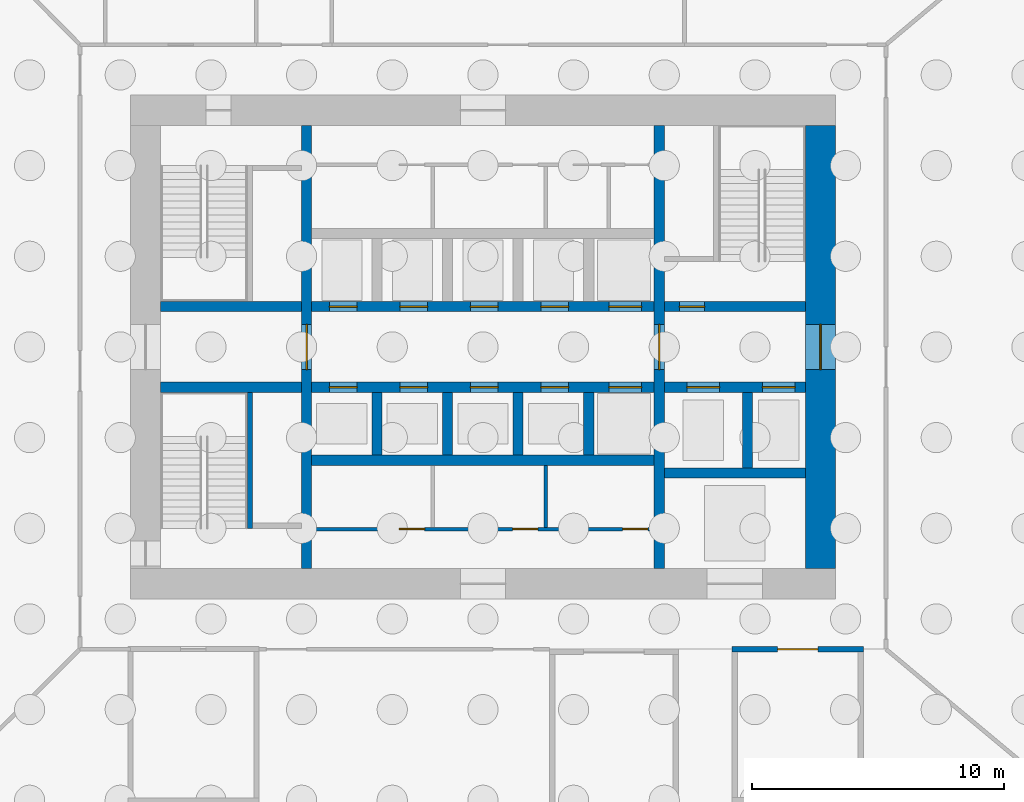
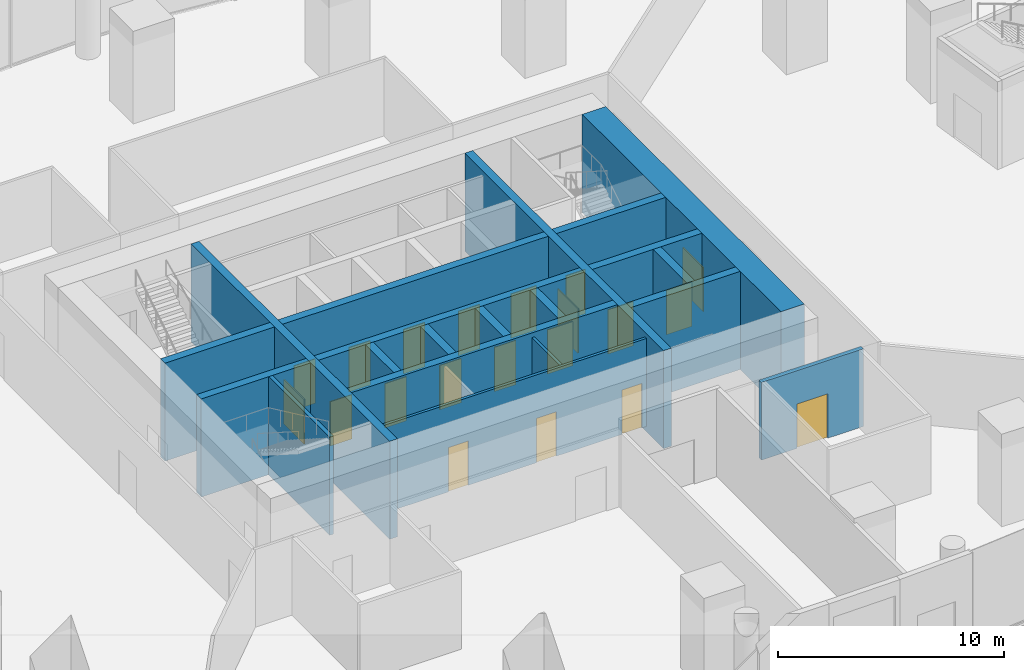
# One storey, part 13 of 29: 20 doors, 20 walls, 20 openings.
"""IFC4 building model written with IfcOpenShell, lengths in metres."""

from ifc_helpers import new_model, si_unit, direction, frame, frame_2d, origin, place, context, subcontext, project, spatial, rectangle, extrude, material, layer, layer_set, type_object, element, fill, save


model = new_model("IFC4")

# Units and contexts
model_context = context("Model", 3, precision=1e-05, world=origin(), true_north=direction((0.0, 1.0)))
body_context = subcontext(model_context, "Body", "Model", "MODEL_VIEW")
ifc_project = project(units=[si_unit("LENGTHUNIT", "METRE"), si_unit("AREAUNIT", "SQUARE_METRE"), si_unit("VOLUMEUNIT", "CUBIC_METRE"), si_unit("PLANEANGLEUNIT", "RADIAN"), si_unit("MASSUNIT", "GRAM", prefix="KILO")], contexts=[model_context])

# Site, building, storey
site_placement = place(None, origin())
site = spatial("IfcSite", under=ifc_project, at=site_placement, CompositionType="ELEMENT")
building_placement = place(site_placement, origin())
building = spatial("IfcBuilding", under=site, at=building_placement, Name="Ghaith Harvest Tower", CompositionType="ELEMENT")
storey_placement = place(building_placement, origin())
storey = spatial("IfcBuildingStorey", under=building, at=storey_placement, Name="L00", CompositionType="ELEMENT", Elevation=0.0)

# Wall, opening, door
ifc_material_1 = material(Name="Concrete blockwork, 1-hour", Category="masonry")
ifc_layer_1 = layer(ifc_material_1, 0.215087890625)
ifc_layer_set_1 = layer_set([ifc_layer_1], Name="BLOCKWORK WALL 215")
wall_type_1 = type_object("IfcWallType", Name="BLOCKWORK WALL 215", PredefinedType="PARTITIONING", material=ifc_layer_set_1)
wall_1_placement = place(storey_placement, frame((9.892578125, -12.0, 0.0), z_axis=(0.0, 0.0, 1.0), x_axis=(1.0, 0.0, 0.0)))
wall_1 = element("IfcWall", 1, at=wall_1_placement, inside=storey, type_object=wall_type_1, Name="Partition L00-04", PredefinedType="PARTITIONING", context=body_context, shape_type="SweptSolid", body=[
    extrude(rectangle(XDim=5.21484375, YDim=0.215087890625, at=frame_2d((2.607421875, 0.0))), origin(), (0.0, 0.0, 1.0), 4.199951171875),
])
opening_1_placement = place(wall_1_placement, frame((1.8076171875, 0.0, 0.0)))
opening_1 = element("IfcOpeningElement", 2, at=opening_1_placement, cuts=wall_1, Name="Opening 00-037", PredefinedType="OPENING", context=body_context, shape_type="SweptSolid", body=[
    extrude(rectangle(XDim=1.60009765625, YDim=2.39990234375, at=frame_2d((0.800048828125, 1.199951171875))), frame((0.0, 0.11767578125, 0.0), z_axis=(0.0, -1.0, 0.0), x_axis=(1.0, 0.0, 0.0)), (0.0, 0.0, 1.0), 0.235107421875),
])
ifc_material_2 = material(Name="Timber door", Category="wood")
door_type_1 = type_object("IfcDoorType", Name="D2 PAIR 1600x2400", OperationType="DOUBLE_DOOR_SINGLE_SWING", PredefinedType="DOOR", material=ifc_material_2)
door_1_placement = place(opening_1_placement, origin())
door_1 = element("IfcDoor", 3, at=door_1_placement, inside=storey, type_object=door_type_1, Name="Refuse room door", OperationType="DOUBLE_DOOR_SINGLE_SWING", OverallHeight=2.39990234375, OverallWidth=1.60009765625, PredefinedType="DOOR", context=body_context, shape_type="SweptSolid", body=[
    extrude(rectangle(XDim=1.60009765625, YDim=2.39990234375, at=frame_2d((0.800048828125, 1.199951171875))), frame((0.0, 0.02490234375, 0.0), z_axis=(0.0, -1.0, 0.0), x_axis=(1.0, 0.0, 0.0)), (0.0, 0.0, 1.0), 0.050048828125),
])
fill(opening_1, door_1)

# Wall, openings, doors
ifc_material_3 = material(Name="Concrete blockwork, fair-faced", Category="masonry")
ifc_layer_2 = layer(ifc_material_3, 0.139892578125)
ifc_layer_set_2 = layer_set([ifc_layer_2], Name="CORE PARTITION 140")
wall_type_2 = type_object("IfcWallType", Name="CORE PARTITION 140", PredefinedType="PARTITIONING", material=ifc_layer_set_2)
wall_2_placement = place(storey_placement, frame((-6.800048828125, -7.22998046875, 0.0), z_axis=(0.0, 0.0, 1.0), x_axis=(1.0, 0.0, 0.0)))
wall_2 = element("IfcWall", 4, at=wall_2_placement, inside=storey, type_object=wall_type_2, Name="Core partition L00", PredefinedType="PARTITIONING", context=body_context, shape_type="SweptSolid", body=[
    extrude(rectangle(XDim=13.60009765625, YDim=0.139892578125, at=frame_2d((6.800048828125, 0.0))), origin(), (0.0, 0.0, 1.0), 4.75),
])
opening_2_placement = place(wall_2_placement, frame((3.47998046875, 0.0, 0.0)))
opening_2 = element("IfcOpeningElement", 5, at=opening_2_placement, cuts=wall_2, Name="Opening 00-012", PredefinedType="OPENING", context=body_context, shape_type="SweptSolid", body=[
    extrude(rectangle(XDim=1.0, YDim=2.39990234375, at=frame_2d((0.5, 1.199951171875))), frame((0.0, 0.080078125, 0.0), z_axis=(0.0, -1.0, 0.0), x_axis=(1.0, 0.0, 0.0)), (0.0, 0.0, 1.0), 0.159912109375),
])
opening_3_placement = place(wall_2_placement, frame((7.97998046875, 0.0, 0.0)))
opening_3 = element("IfcOpeningElement", 6, at=opening_3_placement, cuts=wall_2, Name="Opening 00-013", PredefinedType="OPENING", context=body_context, shape_type="SweptSolid", body=[
    extrude(rectangle(XDim=1.0, YDim=2.39990234375, at=frame_2d((0.5, 1.199951171875))), frame((0.0, 0.080078125, 0.0), z_axis=(0.0, -1.0, 0.0), x_axis=(1.0, 0.0, 0.0)), (0.0, 0.0, 1.0), 0.159912109375),
])
opening_4_placement = place(wall_2_placement, frame((12.35009765625, 0.0, 0.0)))
opening_4 = element("IfcOpeningElement", 7, at=opening_4_placement, cuts=wall_2, Name="Opening 00-014", PredefinedType="OPENING", context=body_context, shape_type="SweptSolid", body=[
    extrude(rectangle(XDim=1.0, YDim=2.39990234375, at=frame_2d((0.5, 1.199951171875))), frame((0.0, 0.080078125, 0.0), z_axis=(0.0, -1.0, 0.0), x_axis=(1.0, 0.0, 0.0)), (0.0, 0.0, 1.0), 0.159912109375),
])
ifc_material_4 = material(Name="Steel fire door", Category="steel")
door_type_2 = type_object("IfcDoorType", Name="D3 FD90 1000x2400", OperationType="SINGLE_SWING_LEFT", PredefinedType="DOOR", material=ifc_material_4)
door_2_placement = place(opening_2_placement, origin())
door_2 = element("IfcDoor", 8, at=door_2_placement, inside=storey, type_object=door_type_2, Name="Electrical room door", OperationType="SINGLE_SWING_LEFT", OverallHeight=2.39990234375, OverallWidth=1.0, PredefinedType="DOOR", context=body_context, shape_type="SweptSolid", body=[
    extrude(rectangle(XDim=1.0, YDim=2.39990234375, at=frame_2d((0.5, 1.199951171875))), frame((0.0, 0.02490234375, 0.0), z_axis=(0.0, -1.0, 0.0), x_axis=(1.0, 0.0, 0.0)), (0.0, 0.0, 1.0), 0.050048828125),
])
fill(opening_2, door_2)
door_3_placement = place(opening_3_placement, origin())
door_3 = element("IfcDoor", 9, at=door_3_placement, inside=storey, type_object=door_type_2, Name="Communications equipment room door", OperationType="SINGLE_SWING_RIGHT", OverallHeight=2.39990234375, OverallWidth=1.0, PredefinedType="DOOR", context=body_context, shape_type="SweptSolid", body=[
    extrude(rectangle(XDim=1.0, YDim=2.39990234375, at=frame_2d((0.5, 1.199951171875))), frame((0.0, 0.02490234375, 0.0), z_axis=(0.0, -1.0, 0.0), x_axis=(1.0, 0.0, 0.0)), (0.0, 0.0, 1.0), 0.050048828125),
])
fill(opening_3, door_3)
door_4_placement = place(opening_4_placement, origin())
door_4 = element("IfcDoor", 10, at=door_4_placement, inside=storey, type_object=door_type_2, Name="Riser room door", OperationType="SINGLE_SWING_RIGHT", OverallHeight=2.39990234375, OverallWidth=1.0, PredefinedType="DOOR", context=body_context, shape_type="SweptSolid", body=[
    extrude(rectangle(XDim=1.0, YDim=2.39990234375, at=frame_2d((0.5, 1.199951171875))), frame((0.0, 0.02490234375, 0.0), z_axis=(0.0, -1.0, 0.0), x_axis=(1.0, 0.0, 0.0)), (0.0, 0.0, 1.0), 0.050048828125),
])
fill(opening_4, door_4)

# Wall
wall_3_placement = place(storey_placement, frame((2.5, -4.699951171875, 0.0), z_axis=(0.0, 0.0, 1.0), x_axis=(0.0, -1.0, 0.0)))
element("IfcWall", 11, at=wall_3_placement, inside=storey, type_object=wall_type_2, Name="Core partition L00", PredefinedType="PARTITIONING", context=body_context, shape_type="SweptSolid", body=[
    extrude(rectangle(XDim=2.4599609375, YDim=0.139892578125, at=frame_2d((1.22998046875, 0.0))), origin(), (0.0, 0.0, 1.0), 4.75),
])

# Wall, opening, door
ifc_material_5 = material(Name="Concrete C70/85", Category="concrete")
ifc_layer_3 = layer(ifc_material_5, 1.199951171875)
ifc_layer_set_3 = layer_set([ifc_layer_3], Name="CORE WALL CW1200")
wall_type_3 = type_object("IfcWallType", Name="CORE WALL CW1200", PredefinedType="SHEAR", material=ifc_layer_set_3)
wall_4_placement = place(storey_placement, frame((13.39990234375, -8.800048828125, -0.300048828125), z_axis=(0.0, 0.0, 1.0), x_axis=(0.0, 1.0, 0.0)))
wall_4 = element("IfcWall", 12, at=wall_4_placement, inside=storey, type_object=wall_type_3, Name="Core wall E L00", PredefinedType="SHEAR", context=body_context, shape_type="SweptSolid", body=[
    extrude(rectangle(XDim=17.60009765625, YDim=1.199951171875, at=frame_2d((8.800048828125, 0.0))), origin(), (0.0, 0.0, 1.0), 5.300048828125),
])
opening_5_placement = place(wall_4_placement, frame((7.89990234375, 0.0, 0.300048828125)))
opening_5 = element("IfcOpeningElement", 13, at=opening_5_placement, cuts=wall_4, Name="Opening 00-002", PredefinedType="OPENING", context=body_context, shape_type="SweptSolid", body=[
    extrude(rectangle(XDim=1.800048828125, YDim=2.39990234375, at=frame_2d((0.89990234375, 1.199951171875))), frame((0.0, 0.60986328125, 0.0), z_axis=(0.0, -1.0, 0.0), x_axis=(1.0, 0.0, 0.0)), (0.0, 0.0, 1.0), 1.219970703125),
])
ifc_material_6 = material(Name="Steel fire door", Category="steel")
door_type_3 = type_object("IfcDoorType", Name="D4 FD90 PAIR 1800x2400", OperationType="DOUBLE_DOOR_SINGLE_SWING", PredefinedType="DOOR", material=ifc_material_6)
door_5_placement = place(opening_5_placement, origin())
door_5 = element("IfcDoor", 14, at=door_5_placement, inside=storey, type_object=door_type_3, Name="Fire-fighting lobby doors", OperationType="DOUBLE_DOOR_SINGLE_SWING", OverallHeight=2.39990234375, OverallWidth=1.800048828125, PredefinedType="DOOR", context=body_context, shape_type="SweptSolid", body=[
    extrude(rectangle(XDim=1.800048828125, YDim=2.39990234375, at=frame_2d((0.89990234375, 1.199951171875))), frame((0.0, 0.02490234375, 0.0), z_axis=(0.0, -1.0, 0.0), x_axis=(1.0, 0.0, 0.0)), (0.0, 0.0, 1.0), 0.050048828125),
])
fill(opening_5, door_5)

ifc_material_7 = material(Name="Concrete C70/85", Category="concrete")
ifc_layer_4 = layer(ifc_material_7, 0.39990234375)
ifc_layer_set_4 = layer_set([ifc_layer_4], Name="SHAFT WALL 400")
wall_type_4 = type_object("IfcWallType", Name="SHAFT WALL 400", PredefinedType="SHEAR", material=ifc_layer_set_4)
wall_5_placement = place(storey_placement, frame((-7.0, -8.800048828125, -0.300048828125), z_axis=(0.0, 0.0, 1.0), x_axis=(0.0, 1.0, 0.0)))
wall_5 = element("IfcWall", 15, at=wall_5_placement, inside=storey, type_object=wall_type_4, Name="Shaft wall W7W L00", PredefinedType="SHEAR", context=body_context, shape_type="SweptSolid", body=[
    extrude(rectangle(XDim=17.60009765625, YDim=0.39990234375, at=frame_2d((8.800048828125, 0.0))), origin(), (0.0, 0.0, 1.0), 5.300048828125),
])
opening_6_placement = place(wall_5_placement, frame((7.89990234375, 0.0, 0.300048828125)))
opening_6 = element("IfcOpeningElement", 16, at=opening_6_placement, cuts=wall_5, Name="Opening 00-003", PredefinedType="OPENING", context=body_context, shape_type="SweptSolid", body=[
    extrude(rectangle(XDim=1.800048828125, YDim=2.39990234375, at=frame_2d((0.89990234375, 1.199951171875))), frame((0.0, 0.2099609375, 0.0), z_axis=(0.0, -1.0, 0.0), x_axis=(1.0, 0.0, 0.0)), (0.0, 0.0, 1.0), 0.419921875),
])
door_6_placement = place(opening_6_placement, origin())
door_6 = element("IfcDoor", 17, at=door_6_placement, inside=storey, type_object=door_type_3, Name="Lift lobby doors, west", OperationType="DOUBLE_DOOR_SINGLE_SWING", OverallHeight=2.39990234375, OverallWidth=1.800048828125, PredefinedType="DOOR", context=body_context, shape_type="SweptSolid", body=[
    extrude(rectangle(XDim=1.800048828125, YDim=2.39990234375, at=frame_2d((0.89990234375, 1.199951171875))), frame((0.0, 0.02490234375, 0.0), z_axis=(0.0, -1.0, 0.0), x_axis=(1.0, 0.0, 0.0)), (0.0, 0.0, 1.0), 0.050048828125),
])
fill(opening_6, door_6)

wall_6_placement = place(storey_placement, frame((7.0, -8.800048828125, -0.300048828125), z_axis=(0.0, 0.0, 1.0), x_axis=(0.0, 1.0, 0.0)))
wall_6 = element("IfcWall", 18, at=wall_6_placement, inside=storey, type_object=wall_type_4, Name="Shaft wall W7E L00", PredefinedType="SHEAR", context=body_context, shape_type="SweptSolid", body=[
    extrude(rectangle(XDim=17.60009765625, YDim=0.39990234375, at=frame_2d((8.800048828125, 0.0))), origin(), (0.0, 0.0, 1.0), 5.300048828125),
])
opening_7_placement = place(wall_6_placement, frame((7.89990234375, 0.0, 0.300048828125)))
opening_7 = element("IfcOpeningElement", 19, at=opening_7_placement, cuts=wall_6, Name="Opening 00-004", PredefinedType="OPENING", context=body_context, shape_type="SweptSolid", body=[
    extrude(rectangle(XDim=1.800048828125, YDim=2.39990234375, at=frame_2d((0.89990234375, 1.199951171875))), frame((0.0, 0.2099609375, 0.0), z_axis=(0.0, -1.0, 0.0), x_axis=(1.0, 0.0, 0.0)), (0.0, 0.0, 1.0), 0.419921875),
])
door_7_placement = place(opening_7_placement, origin())
door_7 = element("IfcDoor", 20, at=door_7_placement, inside=storey, type_object=door_type_3, Name="Lift lobby doors, east", OperationType="DOUBLE_DOOR_SINGLE_SWING", OverallHeight=2.39990234375, OverallWidth=1.800048828125, PredefinedType="DOOR", context=body_context, shape_type="SweptSolid", body=[
    extrude(rectangle(XDim=1.800048828125, YDim=2.39990234375, at=frame_2d((0.89990234375, 1.199951171875))), frame((0.0, 0.02490234375, 0.0), z_axis=(0.0, -1.0, 0.0), x_axis=(1.0, 0.0, 0.0)), (0.0, 0.0, 1.0), 0.050048828125),
])
fill(opening_7, door_7)

# Wall, openings, doors
wall_7_placement = place(storey_placement, frame((-6.800048828125, 1.60009765625, -0.300048828125), z_axis=(0.0, 0.0, 1.0), x_axis=(1.0, 0.0, 0.0)))
wall_7 = element("IfcWall", 21, at=wall_7_placement, inside=storey, type_object=wall_type_4, Name="Shaft wall LN L00", PredefinedType="SHEAR", context=body_context, shape_type="SweptSolid", body=[
    extrude(rectangle(XDim=13.60009765625, YDim=0.39990234375, at=frame_2d((6.800048828125, 0.0))), origin(), (0.0, 0.0, 1.0), 5.300048828125),
])
opening_8_placement = place(wall_7_placement, frame((0.699951171875, 0.0, 0.300048828125)))
opening_8 = element("IfcOpeningElement", 22, at=opening_8_placement, cuts=wall_7, Name="Opening 00-017", PredefinedType="OPENING", context=body_context, shape_type="SweptSolid", body=[
    extrude(rectangle(XDim=1.10009765625, YDim=2.39990234375, at=frame_2d((0.550048828125, 1.199951171875))), frame((0.0, 0.2099609375, 0.0), z_axis=(0.0, -1.0, 0.0), x_axis=(1.0, 0.0, 0.0)), (0.0, 0.0, 1.0), 0.419921875),
])
opening_9_placement = place(wall_7_placement, frame((3.5, 0.0, 0.300048828125)))
opening_9 = element("IfcOpeningElement", 23, at=opening_9_placement, cuts=wall_7, Name="Opening 00-019", PredefinedType="OPENING", context=body_context, shape_type="SweptSolid", body=[
    extrude(rectangle(XDim=1.10009765625, YDim=2.39990234375, at=frame_2d((0.550048828125, 1.199951171875))), frame((0.0, 0.2099609375, 0.0), z_axis=(0.0, -1.0, 0.0), x_axis=(1.0, 0.0, 0.0)), (0.0, 0.0, 1.0), 0.419921875),
])
opening_10_placement = place(wall_7_placement, frame((6.300048828125, 0.0, 0.300048828125)))
opening_10 = element("IfcOpeningElement", 24, at=opening_10_placement, cuts=wall_7, Name="Opening 00-021", PredefinedType="OPENING", context=body_context, shape_type="SweptSolid", body=[
    extrude(rectangle(XDim=1.10009765625, YDim=2.39990234375, at=frame_2d((0.550048828125, 1.199951171875))), frame((0.0, 0.2099609375, 0.0), z_axis=(0.0, -1.0, 0.0), x_axis=(1.0, 0.0, 0.0)), (0.0, 0.0, 1.0), 0.419921875),
])
opening_11_placement = place(wall_7_placement, frame((9.10009765625, 0.0, 0.300048828125)))
opening_11 = element("IfcOpeningElement", 25, at=opening_11_placement, cuts=wall_7, Name="Opening 00-023", PredefinedType="OPENING", context=body_context, shape_type="SweptSolid", body=[
    extrude(rectangle(XDim=1.10009765625, YDim=2.39990234375, at=frame_2d((0.550048828125, 1.199951171875))), frame((0.0, 0.2099609375, 0.0), z_axis=(0.0, -1.0, 0.0), x_axis=(1.0, 0.0, 0.0)), (0.0, 0.0, 1.0), 0.419921875),
])
opening_12_placement = place(wall_7_placement, frame((11.800048828125, 0.0, 0.300048828125)))
opening_12 = element("IfcOpeningElement", 26, at=opening_12_placement, cuts=wall_7, Name="Opening 00-025", PredefinedType="OPENING", context=body_context, shape_type="SweptSolid", body=[
    extrude(rectangle(XDim=1.300048828125, YDim=2.39990234375, at=frame_2d((0.64990234375, 1.199951171875))), frame((0.0, 0.2099609375, 0.0), z_axis=(0.0, -1.0, 0.0), x_axis=(1.0, 0.0, 0.0)), (0.0, 0.0, 1.0), 0.419921875),
])
ifc_material_8 = material(Name="Steel fire door", Category="steel")
door_type_4 = type_object("IfcDoorType", Name="LD1 LANDING 1100x2400", OperationType="DOUBLE_DOOR_SLIDING", PredefinedType="DOOR", material=ifc_material_8)
door_8_placement = place(opening_8_placement, origin())
door_8 = element("IfcDoor", 27, at=door_8_placement, inside=storey, type_object=door_type_4, Name="Landing door, lift FA1", OperationType="DOUBLE_DOOR_SLIDING", OverallHeight=2.39990234375, OverallWidth=1.10009765625, PredefinedType="DOOR", context=body_context, shape_type="SweptSolid", body=[
    extrude(rectangle(XDim=1.10009765625, YDim=2.39990234375, at=frame_2d((0.550048828125, 1.199951171875))), frame((0.0, 0.02490234375, 0.0), z_axis=(0.0, -1.0, 0.0), x_axis=(1.0, 0.0, 0.0)), (0.0, 0.0, 1.0), 0.050048828125),
])
fill(opening_8, door_8)
door_9_placement = place(opening_9_placement, origin())
door_9 = element("IfcDoor", 28, at=door_9_placement, inside=storey, type_object=door_type_4, Name="Landing door, lift FA2", OperationType="DOUBLE_DOOR_SLIDING", OverallHeight=2.39990234375, OverallWidth=1.10009765625, PredefinedType="DOOR", context=body_context, shape_type="SweptSolid", body=[
    extrude(rectangle(XDim=1.10009765625, YDim=2.39990234375, at=frame_2d((0.550048828125, 1.199951171875))), frame((0.0, 0.02490234375, 0.0), z_axis=(0.0, -1.0, 0.0), x_axis=(1.0, 0.0, 0.0)), (0.0, 0.0, 1.0), 0.050048828125),
])
fill(opening_9, door_9)
door_10_placement = place(opening_10_placement, origin())
door_10 = element("IfcDoor", 29, at=door_10_placement, inside=storey, type_object=door_type_4, Name="Landing door, lift FA3", OperationType="DOUBLE_DOOR_SLIDING", OverallHeight=2.39990234375, OverallWidth=1.10009765625, PredefinedType="DOOR", context=body_context, shape_type="SweptSolid", body=[
    extrude(rectangle(XDim=1.10009765625, YDim=2.39990234375, at=frame_2d((0.550048828125, 1.199951171875))), frame((0.0, 0.02490234375, 0.0), z_axis=(0.0, -1.0, 0.0), x_axis=(1.0, 0.0, 0.0)), (0.0, 0.0, 1.0), 0.050048828125),
])
fill(opening_10, door_10)
door_11_placement = place(opening_11_placement, origin())
door_11 = element("IfcDoor", 30, at=door_11_placement, inside=storey, type_object=door_type_4, Name="Landing door, lift FA4", OperationType="DOUBLE_DOOR_SLIDING", OverallHeight=2.39990234375, OverallWidth=1.10009765625, PredefinedType="DOOR", context=body_context, shape_type="SweptSolid", body=[
    extrude(rectangle(XDim=1.10009765625, YDim=2.39990234375, at=frame_2d((0.550048828125, 1.199951171875))), frame((0.0, 0.02490234375, 0.0), z_axis=(0.0, -1.0, 0.0), x_axis=(1.0, 0.0, 0.0)), (0.0, 0.0, 1.0), 0.050048828125),
])
fill(opening_11, door_11)
ifc_material_9 = material(Name="Steel fire door", Category="steel")
door_type_5 = type_object("IfcDoorType", Name="LD2 LANDING 1300x2400", OperationType="DOUBLE_DOOR_SLIDING", PredefinedType="DOOR", material=ifc_material_9)
door_12_placement = place(opening_12_placement, origin())
door_12 = element("IfcDoor", 31, at=door_12_placement, inside=storey, type_object=door_type_5, Name="Landing door, lift SH1", OperationType="DOUBLE_DOOR_SLIDING", OverallHeight=2.39990234375, OverallWidth=1.300048828125, PredefinedType="DOOR", context=body_context, shape_type="SweptSolid", body=[
    extrude(rectangle(XDim=1.300048828125, YDim=2.39990234375, at=frame_2d((0.64990234375, 1.199951171875))), frame((0.0, 0.02490234375, 0.0), z_axis=(0.0, -1.0, 0.0), x_axis=(1.0, 0.0, 0.0)), (0.0, 0.0, 1.0), 0.050048828125),
])
fill(opening_12, door_12)

wall_8_placement = place(storey_placement, frame((-6.800048828125, -1.60009765625, -0.300048828125), z_axis=(0.0, 0.0, 1.0), x_axis=(1.0, 0.0, 0.0)))
wall_8 = element("IfcWall", 32, at=wall_8_placement, inside=storey, type_object=wall_type_4, Name="Shaft wall LS L00", PredefinedType="SHEAR", context=body_context, shape_type="SweptSolid", body=[
    extrude(rectangle(XDim=13.60009765625, YDim=0.39990234375, at=frame_2d((6.800048828125, 0.0))), origin(), (0.0, 0.0, 1.0), 5.300048828125),
])
opening_13_placement = place(wall_8_placement, frame((0.699951171875, 0.0, 0.300048828125)))
opening_13 = element("IfcOpeningElement", 33, at=opening_13_placement, cuts=wall_8, Name="Opening 00-018", PredefinedType="OPENING", context=body_context, shape_type="SweptSolid", body=[
    extrude(rectangle(XDim=1.10009765625, YDim=2.39990234375, at=frame_2d((0.550048828125, 1.199951171875))), frame((0.0, 0.2099609375, 0.0), z_axis=(0.0, -1.0, 0.0), x_axis=(1.0, 0.0, 0.0)), (0.0, 0.0, 1.0), 0.419921875),
])
opening_14_placement = place(wall_8_placement, frame((3.5, 0.0, 0.300048828125)))
opening_14 = element("IfcOpeningElement", 34, at=opening_14_placement, cuts=wall_8, Name="Opening 00-020", PredefinedType="OPENING", context=body_context, shape_type="SweptSolid", body=[
    extrude(rectangle(XDim=1.10009765625, YDim=2.39990234375, at=frame_2d((0.550048828125, 1.199951171875))), frame((0.0, 0.2099609375, 0.0), z_axis=(0.0, -1.0, 0.0), x_axis=(1.0, 0.0, 0.0)), (0.0, 0.0, 1.0), 0.419921875),
])
opening_15_placement = place(wall_8_placement, frame((6.300048828125, 0.0, 0.300048828125)))
opening_15 = element("IfcOpeningElement", 35, at=opening_15_placement, cuts=wall_8, Name="Opening 00-022", PredefinedType="OPENING", context=body_context, shape_type="SweptSolid", body=[
    extrude(rectangle(XDim=1.10009765625, YDim=2.39990234375, at=frame_2d((0.550048828125, 1.199951171875))), frame((0.0, 0.2099609375, 0.0), z_axis=(0.0, -1.0, 0.0), x_axis=(1.0, 0.0, 0.0)), (0.0, 0.0, 1.0), 0.419921875),
])
opening_16_placement = place(wall_8_placement, frame((9.10009765625, 0.0, 0.300048828125)))
opening_16 = element("IfcOpeningElement", 36, at=opening_16_placement, cuts=wall_8, Name="Opening 00-024", PredefinedType="OPENING", context=body_context, shape_type="SweptSolid", body=[
    extrude(rectangle(XDim=1.10009765625, YDim=2.39990234375, at=frame_2d((0.550048828125, 1.199951171875))), frame((0.0, 0.2099609375, 0.0), z_axis=(0.0, -1.0, 0.0), x_axis=(1.0, 0.0, 0.0)), (0.0, 0.0, 1.0), 0.419921875),
])
opening_17_placement = place(wall_8_placement, frame((11.800048828125, 0.0, 0.300048828125)))
opening_17 = element("IfcOpeningElement", 37, at=opening_17_placement, cuts=wall_8, Name="Opening 00-026", PredefinedType="OPENING", context=body_context, shape_type="SweptSolid", body=[
    extrude(rectangle(XDim=1.300048828125, YDim=2.39990234375, at=frame_2d((0.64990234375, 1.199951171875))), frame((0.0, 0.2099609375, 0.0), z_axis=(0.0, -1.0, 0.0), x_axis=(1.0, 0.0, 0.0)), (0.0, 0.0, 1.0), 0.419921875),
])
door_13_placement = place(opening_13_placement, origin())
door_13 = element("IfcDoor", 38, at=door_13_placement, inside=storey, type_object=door_type_4, Name="Landing door, lift LR1", OperationType="DOUBLE_DOOR_SLIDING", OverallHeight=2.39990234375, OverallWidth=1.10009765625, PredefinedType="DOOR", context=body_context, shape_type="SweptSolid", body=[
    extrude(rectangle(XDim=1.10009765625, YDim=2.39990234375, at=frame_2d((0.550048828125, 1.199951171875))), frame((0.0, 0.02490234375, 0.0), z_axis=(0.0, -1.0, 0.0), x_axis=(1.0, 0.0, 0.0)), (0.0, 0.0, 1.0), 0.050048828125),
])
fill(opening_13, door_13)
door_14_placement = place(opening_14_placement, origin())
door_14 = element("IfcDoor", 39, at=door_14_placement, inside=storey, type_object=door_type_4, Name="Landing door, lift LR2", OperationType="DOUBLE_DOOR_SLIDING", OverallHeight=2.39990234375, OverallWidth=1.10009765625, PredefinedType="DOOR", context=body_context, shape_type="SweptSolid", body=[
    extrude(rectangle(XDim=1.10009765625, YDim=2.39990234375, at=frame_2d((0.550048828125, 1.199951171875))), frame((0.0, 0.02490234375, 0.0), z_axis=(0.0, -1.0, 0.0), x_axis=(1.0, 0.0, 0.0)), (0.0, 0.0, 1.0), 0.050048828125),
])
fill(opening_14, door_14)
door_15_placement = place(opening_15_placement, origin())
door_15 = element("IfcDoor", 40, at=door_15_placement, inside=storey, type_object=door_type_4, Name="Landing door, lift LR3", OperationType="DOUBLE_DOOR_SLIDING", OverallHeight=2.39990234375, OverallWidth=1.10009765625, PredefinedType="DOOR", context=body_context, shape_type="SweptSolid", body=[
    extrude(rectangle(XDim=1.10009765625, YDim=2.39990234375, at=frame_2d((0.550048828125, 1.199951171875))), frame((0.0, 0.02490234375, 0.0), z_axis=(0.0, -1.0, 0.0), x_axis=(1.0, 0.0, 0.0)), (0.0, 0.0, 1.0), 0.050048828125),
])
fill(opening_15, door_15)
door_16_placement = place(opening_16_placement, origin())
door_16 = element("IfcDoor", 41, at=door_16_placement, inside=storey, type_object=door_type_4, Name="Landing door, lift LR4", OperationType="DOUBLE_DOOR_SLIDING", OverallHeight=2.39990234375, OverallWidth=1.10009765625, PredefinedType="DOOR", context=body_context, shape_type="SweptSolid", body=[
    extrude(rectangle(XDim=1.10009765625, YDim=2.39990234375, at=frame_2d((0.550048828125, 1.199951171875))), frame((0.0, 0.02490234375, 0.0), z_axis=(0.0, -1.0, 0.0), x_axis=(1.0, 0.0, 0.0)), (0.0, 0.0, 1.0), 0.050048828125),
])
fill(opening_16, door_16)
door_17_placement = place(opening_17_placement, origin())
door_17 = element("IfcDoor", 42, at=door_17_placement, inside=storey, type_object=door_type_5, Name="Landing door, lift SH2", OperationType="DOUBLE_DOOR_SLIDING", OverallHeight=2.39990234375, OverallWidth=1.300048828125, PredefinedType="DOOR", context=body_context, shape_type="SweptSolid", body=[
    extrude(rectangle(XDim=1.300048828125, YDim=2.39990234375, at=frame_2d((0.64990234375, 1.199951171875))), frame((0.0, 0.02490234375, 0.0), z_axis=(0.0, -1.0, 0.0), x_axis=(1.0, 0.0, 0.0)), (0.0, 0.0, 1.0), 0.050048828125),
])
fill(opening_17, door_17)

# Walls
wall_9_placement = place(storey_placement, frame((-6.800048828125, -4.5, -0.300048828125), z_axis=(0.0, 0.0, 1.0), x_axis=(1.0, 0.0, 0.0)))
element("IfcWall", 43, at=wall_9_placement, inside=storey, type_object=wall_type_4, Name="Shaft wall BS L00", PredefinedType="SHEAR", context=body_context, shape_type="SweptSolid", body=[
    extrude(rectangle(XDim=13.60009765625, YDim=0.39990234375, at=frame_2d((6.800048828125, 0.0))), origin(), (0.0, 0.0, 1.0), 5.300048828125),
])
for number, where, z_axis, x_axis, name in (
    (44, (-12.800048828125, 1.60009765625, -0.300048828125), (0.0, 0.0, 1.0), (1.0, 0.0, 0.0), "Shaft wall WN L00"),
    (45, (-12.800048828125, -1.60009765625, -0.300048828125), (0.0, 0.0, 1.0), (1.0, 0.0, 0.0), "Shaft wall WS L00"),
):
    element("IfcWall", number, at=place(storey_placement, frame(where, z_axis=z_axis, x_axis=x_axis)), inside=storey, type_object=wall_type_4, Name=name, PredefinedType="SHEAR", context=body_context, shape_type="SweptSolid", body=[
        extrude(rectangle(XDim=5.60009765625, YDim=0.39990234375, at=frame_2d((2.800048828125, 0.0))), origin(), (0.0, 0.0, 1.0), 5.300048828125),
    ])

# Wall, opening, door
wall_10_placement = place(storey_placement, frame((7.199951171875, 1.60009765625, -0.300048828125), z_axis=(0.0, 0.0, 1.0), x_axis=(1.0, 0.0, 0.0)))
wall_10 = element("IfcWall", 46, at=wall_10_placement, inside=storey, type_object=wall_type_4, Name="Shaft wall EN L00", PredefinedType="SHEAR", context=body_context, shape_type="SweptSolid", body=[
    extrude(rectangle(XDim=5.60009765625, YDim=0.39990234375, at=frame_2d((2.800048828125, 0.0))), origin(), (0.0, 0.0, 1.0), 5.300048828125),
])
opening_18_placement = place(wall_10_placement, frame((0.60009765625, 0.0, 0.300048828125)))
opening_18 = element("IfcOpeningElement", 47, at=opening_18_placement, cuts=wall_10, Name="Opening 00-007", PredefinedType="OPENING", context=body_context, shape_type="SweptSolid", body=[
    extrude(rectangle(XDim=1.0, YDim=2.39990234375, at=frame_2d((0.5, 1.199951171875))), frame((0.0, 0.2099609375, 0.0), z_axis=(0.0, -1.0, 0.0), x_axis=(1.0, 0.0, 0.0)), (0.0, 0.0, 1.0), 0.419921875),
])
door_18_placement = place(opening_18_placement, origin())
door_18 = element("IfcDoor", 48, at=door_18_placement, inside=storey, type_object=door_type_2, Name="Stair ST2 door", OperationType="SINGLE_SWING_LEFT", OverallHeight=2.39990234375, OverallWidth=1.0, PredefinedType="DOOR", context=body_context, shape_type="SweptSolid", body=[
    extrude(rectangle(XDim=1.0, YDim=2.39990234375, at=frame_2d((0.5, 1.199951171875))), frame((0.0, 0.02490234375, 0.0), z_axis=(0.0, -1.0, 0.0), x_axis=(1.0, 0.0, 0.0)), (0.0, 0.0, 1.0), 0.050048828125),
])
fill(opening_18, door_18)

# Wall, openings, doors
wall_11_placement = place(storey_placement, frame((7.199951171875, -1.60009765625, -0.300048828125), z_axis=(0.0, 0.0, 1.0), x_axis=(1.0, 0.0, 0.0)))
wall_11 = element("IfcWall", 49, at=wall_11_placement, inside=storey, type_object=wall_type_4, Name="Shaft wall ES L00", PredefinedType="SHEAR", context=body_context, shape_type="SweptSolid", body=[
    extrude(rectangle(XDim=5.60009765625, YDim=0.39990234375, at=frame_2d((2.800048828125, 0.0))), origin(), (0.0, 0.0, 1.0), 5.300048828125),
])
opening_19_placement = place(wall_11_placement, frame((0.89990234375, 0.0, 0.300048828125)))
opening_19 = element("IfcOpeningElement", 50, at=opening_19_placement, cuts=wall_11, Name="Opening 00-027", PredefinedType="OPENING", context=body_context, shape_type="SweptSolid", body=[
    extrude(rectangle(XDim=1.300048828125, YDim=2.39990234375, at=frame_2d((0.64990234375, 1.199951171875))), frame((0.0, 0.2099609375, 0.0), z_axis=(0.0, -1.0, 0.0), x_axis=(1.0, 0.0, 0.0)), (0.0, 0.0, 1.0), 0.419921875),
])
opening_20_placement = place(wall_11_placement, frame((3.89990234375, 0.0, 0.300048828125)))
opening_20 = element("IfcOpeningElement", 51, at=opening_20_placement, cuts=wall_11, Name="Opening 00-028", PredefinedType="OPENING", context=body_context, shape_type="SweptSolid", body=[
    extrude(rectangle(XDim=1.300048828125, YDim=2.39990234375, at=frame_2d((0.64990234375, 1.199951171875))), frame((0.0, 0.2099609375, 0.0), z_axis=(0.0, -1.0, 0.0), x_axis=(1.0, 0.0, 0.0)), (0.0, 0.0, 1.0), 0.419921875),
])
door_19_placement = place(opening_19_placement, origin())
door_19 = element("IfcDoor", 52, at=door_19_placement, inside=storey, type_object=door_type_5, Name="Landing door, fire service lift FL1", OperationType="DOUBLE_DOOR_SLIDING", OverallHeight=2.39990234375, OverallWidth=1.300048828125, PredefinedType="DOOR", context=body_context, shape_type="SweptSolid", body=[
    extrude(rectangle(XDim=1.300048828125, YDim=2.39990234375, at=frame_2d((0.64990234375, 1.199951171875))), frame((0.0, 0.02490234375, 0.0), z_axis=(0.0, -1.0, 0.0), x_axis=(1.0, 0.0, 0.0)), (0.0, 0.0, 1.0), 0.050048828125),
])
fill(opening_19, door_19)
door_20_placement = place(opening_20_placement, origin())
door_20 = element("IfcDoor", 53, at=door_20_placement, inside=storey, type_object=door_type_5, Name="Landing door, fire service lift FL2", OperationType="DOUBLE_DOOR_SLIDING", OverallHeight=2.39990234375, OverallWidth=1.300048828125, PredefinedType="DOOR", context=body_context, shape_type="SweptSolid", body=[
    extrude(rectangle(XDim=1.300048828125, YDim=2.39990234375, at=frame_2d((0.64990234375, 1.199951171875))), frame((0.0, 0.02490234375, 0.0), z_axis=(0.0, -1.0, 0.0), x_axis=(1.0, 0.0, 0.0)), (0.0, 0.0, 1.0), 0.050048828125),
])
fill(opening_20, door_20)

# Walls
wall_12_placement = place(storey_placement, frame((10.5, -4.800048828125, -0.300048828125), z_axis=(0.0, 0.0, 1.0), x_axis=(0.0, 1.0, 0.0)))
element("IfcWall", 54, at=wall_12_placement, inside=storey, type_object=wall_type_4, Name="Shaft wall FLD L00", PredefinedType="SHEAR", context=body_context, shape_type="SweptSolid", body=[
    extrude(rectangle(XDim=3.0, YDim=0.39990234375, at=frame_2d((1.5, 0.0))), origin(), (0.0, 0.0, 1.0), 5.300048828125),
])
wall_13_placement = place(storey_placement, frame((7.199951171875, -5.0, -0.300048828125), z_axis=(0.0, 0.0, 1.0), x_axis=(1.0, 0.0, 0.0)))
element("IfcWall", 55, at=wall_13_placement, inside=storey, type_object=wall_type_4, Name="Shaft wall FLB L00", PredefinedType="SHEAR", context=body_context, shape_type="SweptSolid", body=[
    extrude(rectangle(XDim=5.60009765625, YDim=0.39990234375, at=frame_2d((2.800048828125, 0.0))), origin(), (0.0, 0.0, 1.0), 5.300048828125),
])
for number, where, z_axis, x_axis, name in (
    (56, (-4.199951171875, -4.300048828125, -0.300048828125), (0.0, 0.0, 1.0), (0.0, 1.0, 0.0), "Shaft wall DS1 L00"),
    (57, (-1.39990234375, -4.300048828125, -0.300048828125), (0.0, 0.0, 1.0), (0.0, 1.0, 0.0), "Shaft wall DS2 L00"),
    (58, (1.39990234375, -4.300048828125, -0.300048828125), (0.0, 0.0, 1.0), (0.0, 1.0, 0.0), "Shaft wall DS3 L00"),
    (59, (4.199951171875, -4.300048828125, -0.300048828125), (0.0, 0.0, 1.0), (0.0, 1.0, 0.0), "Shaft wall DS4 L00"),
):
    element("IfcWall", number, at=place(storey_placement, frame(where, z_axis=z_axis, x_axis=x_axis)), inside=storey, type_object=wall_type_4, Name=name, PredefinedType="SHEAR", context=body_context, shape_type="SweptSolid", body=[
        extrude(rectangle(XDim=2.5, YDim=0.39990234375, at=frame_2d((1.25, 0.0))), origin(), (0.0, 0.0, 1.0), 5.300048828125),
    ])
ifc_material_10 = material(Name="Concrete C40/50", Category="concrete")
ifc_layer_5 = layer(ifc_material_10, 0.199951171875)
ifc_layer_set_5 = layer_set([ifc_layer_5], Name="STAIR SPINE WALL RC200")
wall_type_5 = type_object("IfcWallType", Name="STAIR SPINE WALL RC200", PredefinedType="SOLIDWALL", material=ifc_layer_set_5)
wall_14_placement = place(storey_placement, frame((-9.25, -7.199951171875, -0.300048828125), z_axis=(0.0, 0.0, 1.0), x_axis=(0.0, 1.0, 0.0)))
element("IfcWall", 60, at=wall_14_placement, inside=storey, type_object=wall_type_5, Name="Stair ST3 spine wall L00", PredefinedType="SOLIDWALL", context=body_context, shape_type="SweptSolid", body=[
    extrude(rectangle(XDim=5.39990234375, YDim=0.199951171875, at=frame_2d((2.699951171875, 0.0))), origin(), (0.0, 0.0, 1.0), 5.300048828125),
])

save(model, "model.ifc")
